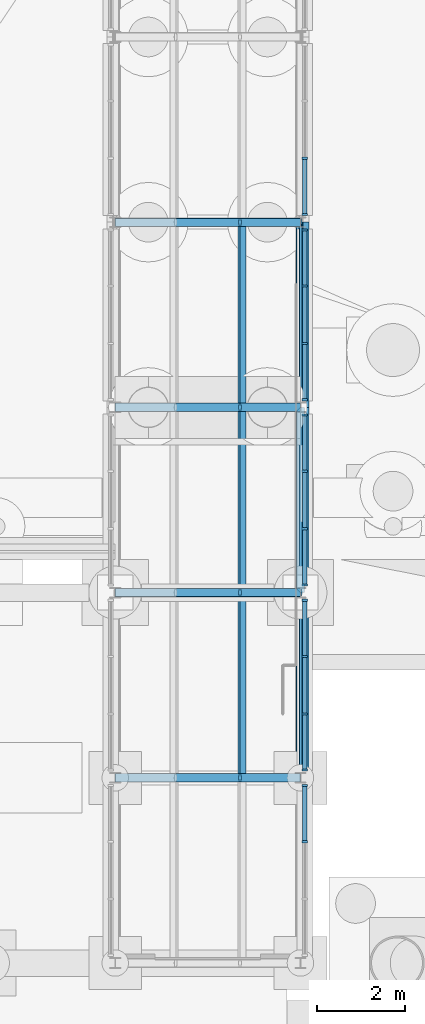
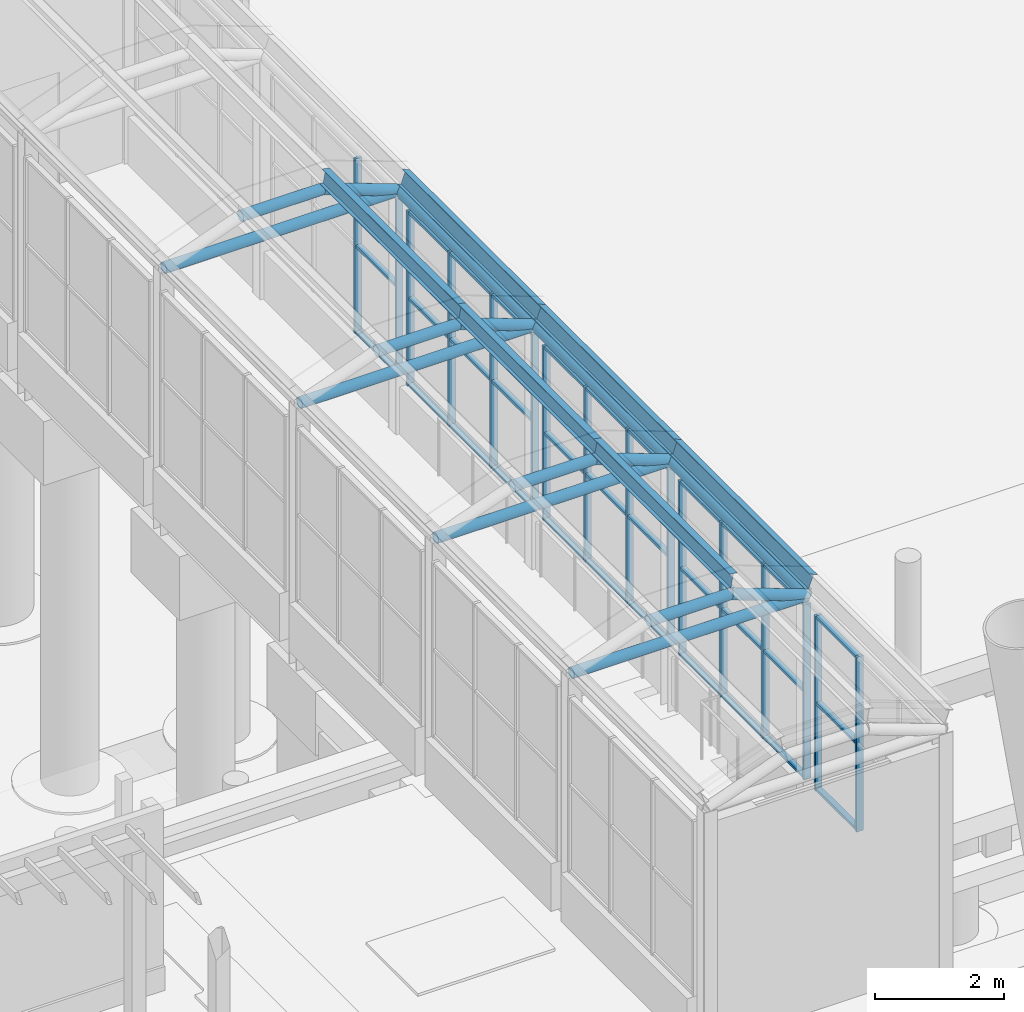
# One storey, part 64 of 222: 58 members, 11 beams, 5 elements without a shape of their own.
"""IFC4 building model written with IfcOpenShell, lengths in metres."""

import ifcopenshell
import ifcopenshell.guid

model = None  # the IFC model being written
_history = None  # IfcOwnerHistory: only IFC2X3 demands one
_inside = {}  # id of a spatial element -> (the spatial element, [elements in it])
_under = {}  # id of a project, library or spatial element -> (it, [spatial elements below it])
_declared = {}  # id of a project -> (the project, [libraries it declares])
_typed = {}  # id of a type object -> (the type object, [elements of that type])
_made_of = {}  # id of a material, layer set ... -> (it, [elements and type objects made of it])


def new_model(schema):
    """Start an empty IFC model of exactly this schema.

    Asked for "IFC4X3", IfcOpenShell would pick the latest addendum, in which some entities
    have other attributes; the version numbers below select the first issue.
    IFC2X3 requires an IfcOwnerHistory on every rooted entity: one is made here for all.
    """
    global model, _history
    if schema == "IFC4X3":
        model = ifcopenshell.file(schema_version=(4, 3, 0, 0))
    else:
        model = ifcopenshell.file(schema=schema)
    _inside.clear()
    _under.clear()
    _declared.clear()
    _typed.clear()
    _made_of.clear()
    _history = None
    if model.schema == "IFC2X3":
        org = make("IfcOrganization", Name="unknown")
        user = make(
            "IfcPersonAndOrganization",
            ThePerson=make("IfcPerson", FamilyName="unknown"),
            TheOrganization=org,
        )
        app = make(
            "IfcApplication",
            ApplicationDeveloper=org,
            Version="unknown",
            ApplicationFullName="unknown",
            ApplicationIdentifier="unknown",
        )
        _history = make(
            "IfcOwnerHistory",
            OwningUser=user,
            OwningApplication=app,
            ChangeAction="ADDED",
            CreationDate=0,
        )
    return model


def make(cls, **values):
    """One entity of the class cls with the attributes given. An attribute that is None is left unset."""
    return model.create_entity(
        cls, **{name: value for name, value in values.items() if value is not None}
    )


def rooted(cls, **values):
    """An entity with a GlobalId (a new one), such as an element, a storey or a relation."""
    return make(cls, GlobalId=ifcopenshell.guid.new(), OwnerHistory=_history, **values)


def si_unit(unit_type, name, prefix=None):
    """IfcSIUnit, for example si_unit("LENGTHUNIT", "METRE", prefix="MILLI")."""
    return make("IfcSIUnit", UnitType=unit_type, Prefix=prefix, Name=name)


def assignment(units):
    """IfcUnitAssignment: the units of a project."""
    return None if units is None else make("IfcUnitAssignment", Units=units)


def point(xyz):
    """IfcCartesianPoint."""
    return None if xyz is None else make("IfcCartesianPoint", Coordinates=xyz)


def direction(xyz):
    """IfcDirection."""
    return None if xyz is None else make("IfcDirection", DirectionRatios=xyz)


def frame(location, z_axis=None, x_axis=None):
    """IfcAxis2Placement3D, a coordinate frame: its origin and axes. An axis left out is left unset."""
    return make(
        "IfcAxis2Placement3D",
        Location=point(location),
        Axis=direction(z_axis),
        RefDirection=direction(x_axis),
    )


def frame_2d(location, x_axis=None):
    """IfcAxis2Placement2D, a coordinate frame in the plane: its origin and x axis."""
    return make(
        "IfcAxis2Placement2D", Location=point(location), RefDirection=direction(x_axis)
    )


def origin():
    """The frame at (0, 0, 0) with its axes left unset."""
    return frame((0.0, 0.0, 0.0))


def origin_2d():
    """The frame at (0, 0) in the plane with its x axis left unset."""
    return frame_2d((0.0, 0.0))


def place(relative_to, where):
    """IfcLocalPlacement: puts the frame where relative to a parent placement (None: the world)."""
    return make(
        "IfcLocalPlacement", PlacementRelTo=relative_to, RelativePlacement=where
    )


def context(
    kind, dimensions, precision=None, world=None, true_north=None, identifier=None
):
    """IfcGeometricRepresentationContext, for example the 3D "Model" context."""
    return make(
        "IfcGeometricRepresentationContext",
        ContextIdentifier=identifier,
        ContextType=kind,
        CoordinateSpaceDimension=dimensions,
        Precision=precision,
        WorldCoordinateSystem=world,
        TrueNorth=true_north,
    )


def subcontext(parent, identifier, kind, view, scale=None):
    """IfcGeometricRepresentationSubContext, for example "Body" below "Model"."""
    return make(
        "IfcGeometricRepresentationSubContext",
        ContextIdentifier=identifier,
        ContextType=kind,
        ParentContext=parent,
        TargetScale=scale,
        TargetView=view,
    )


def project(units=None, contexts=None):
    """IfcProject with its units and contexts."""
    return rooted(
        "IfcProject",
        Name="project",
        RepresentationContexts=contexts,
        UnitsInContext=assignment(units),
    )


def spatial(cls, under=None, at=None, **own):
    """A site, building, storey or space (cls), placed at a placement, below another one or the project."""
    s = rooted(cls, ObjectPlacement=at, **own)
    if under is not None:
        _under.setdefault(under.id(), (under, []))[1].append(s)
    return s


def profile(cls, at=None, kind="AREA", **sizes):
    """A parametric profile (cls). Its sizes go by their IFC names, for example OverallWidth=200.0."""
    return make(cls, ProfileType=kind, Position=at, **sizes)


def rectangle(**sizes):
    """IfcRectangleProfileDef."""
    return profile("IfcRectangleProfileDef", **sizes)


def hollow_circle(**sizes):
    """IfcCircleHollowProfileDef."""
    return profile("IfcCircleHollowProfileDef", **sizes)


def i_section(**sizes):
    """IfcIShapeProfileDef."""
    return profile("IfcIShapeProfileDef", **sizes)


def extrude(swept, where, along, depth):
    """IfcExtrudedAreaSolid: the profile swept, set in the frame where, extruded along a direction by depth."""
    return make(
        "IfcExtrudedAreaSolid",
        SweptArea=swept,
        Position=where,
        ExtrudedDirection=direction(along),
        Depth=depth,
    )


def shape(context_of_items, identifier, shape_type, items):
    """IfcShapeRepresentation: the items that make up one representation, for example the "Body"."""
    return make(
        "IfcShapeRepresentation",
        ContextOfItems=context_of_items,
        RepresentationIdentifier=identifier,
        RepresentationType=shape_type,
        Items=items,
    )


def material(Name=None, Category=None):
    """IfcMaterial."""
    return make("IfcMaterial", Name=Name, Category=Category)


def material_profile(
    of_material, cross_section, Name=None, Category=None, Priority=None
):
    """IfcMaterialProfile: a cross section and its material."""
    return make(
        "IfcMaterialProfile",
        Name=Name,
        Material=of_material,
        Profile=cross_section,
        Priority=Priority,
        Category=Category,
    )


def profile_set(profiles, Name=None, composite=None):
    """IfcMaterialProfileSet."""
    return make(
        "IfcMaterialProfileSet",
        Name=Name,
        MaterialProfiles=profiles,
        CompositeProfile=composite,
    )


def made_of(thing, what):
    """Note that an element or type object is made of a material, layer set ...; save() writes the relation."""
    if what is not None:
        _made_of.setdefault(what.id(), (what, []))[1].append(thing)
    return thing


def type_object(cls, material=None, **own):
    """A type object (cls), such as IfcWallType, which elements share."""
    return made_of(rooted(cls, **own), material)


def element(
    cls,
    number,
    at=None,
    inside=None,
    cuts=None,
    type_object=None,
    material=None,
    context=None,
    identifier="Body",
    shape_type=None,
    held_by="IfcProductDefinitionShape",
    body=None,
    shapes=None,
    **own,
):
    """One element of the class cls, such as IfcWall. Its Tag is "e" and its number.

    at: its placement. inside: the storey or other place that contains it. cuts: it is an
    opening in that element (IfcRelVoidsElement). A single representation is given by context,
    identifier, shape_type and body (its items); several are given by shapes. held_by: the class
    of the entity that holds the representations. save() writes the other relations.
    """
    e = rooted(cls, Tag="e%d" % number, ObjectPlacement=at, **own)
    if body is not None:
        shapes = [shape(context, identifier, shape_type, body)]
    if shapes is not None:
        e.Representation = make(held_by, Representations=shapes)
    if inside is not None:
        _inside.setdefault(inside.id(), (inside, []))[1].append(e)
    if cuts is not None:
        rooted(
            "IfcRelVoidsElement", RelatingBuildingElement=cuts, RelatedOpeningElement=e
        )
    if type_object is not None:
        _typed.setdefault(type_object.id(), (type_object, []))[1].append(e)
    return made_of(e, material)


def aggregate(whole, parts):
    """IfcRelAggregates: a whole, such as a stair, and the parts it consists of."""
    return rooted("IfcRelAggregates", RelatingObject=whole, RelatedObjects=parts)


def save(model, path):
    """Write the relations noted so far, then the file.

    IfcRelAggregates (storeys below a building ...), IfcRelContainedInSpatialStructure (elements
    in a storey), IfcRelDefinesByType, IfcRelAssociatesMaterial and IfcRelDeclares: one each for
    every whole, place, type object, material and project.
    """
    for whole, parts in _under.values():
        aggregate(whole, parts)
    for where, things in _inside.values():
        rooted(
            "IfcRelContainedInSpatialStructure",
            RelatedElements=things,
            RelatingStructure=where,
        )
    for kind, things in _typed.values():
        rooted("IfcRelDefinesByType", RelatedObjects=things, RelatingType=kind)
    for what, things in _made_of.values():
        rooted("IfcRelAssociatesMaterial", RelatedObjects=things, RelatingMaterial=what)
    for by, libraries in _declared.values():
        rooted("IfcRelDeclares", RelatingContext=by, RelatedDefinitions=libraries)
    model.write(path)


model = new_model("IFC4")

# Units and contexts
model_context = context("Model", 3, precision=1e-05, world=origin(), true_north=direction((0.0, 1.0)))
body_context = subcontext(model_context, "Body", "Model", "MODEL_VIEW")
ifc_project = project(units=[si_unit("LENGTHUNIT", "METRE"), si_unit("AREAUNIT", "SQUARE_METRE"), si_unit("VOLUMEUNIT", "CUBIC_METRE"), si_unit("PLANEANGLEUNIT", "RADIAN"), si_unit("MASSUNIT", "GRAM", prefix="KILO")], contexts=[model_context])

# Site, building, storey
site_placement = place(None, origin())
site = spatial("IfcSite", under=ifc_project, at=site_placement, CompositionType="ELEMENT")
building_placement = place(site_placement, origin())
building = spatial("IfcBuilding", under=site, at=building_placement, Name="Sava Quay Ferry Terminal", CompositionType="ELEMENT")
storey_placement = place(building_placement, origin())
storey = spatial("IfcBuildingStorey", under=building, at=storey_placement, Name="L00", CompositionType="ELEMENT", Elevation=0.0)

# Beams
ifc_material_1 = material(Name="Steel S355", Category="steel")
ifc_material_profile_1 = material_profile(ifc_material_1, hollow_circle(Radius=0.096923828125, WallThickness=0.008056640625, at=origin_2d()), Name="CHS 193.7 x 8.0")
ifc_profile_set_1 = profile_set([ifc_material_profile_1], Name="Steel S355")
beam_type_1 = type_object("IfcBeamType", Name="Gallery eave beam CHS 193.7x8", PredefinedType="BEAM", material=ifc_profile_set_1)
beam_1_placement = place(storey_placement, frame((50.39990234375, 113.39990234375, 4.5), z_axis=(0.0, 1.0, 0.0), x_axis=(-1.0, 0.0, 0.0)))
element("IfcBeam", 1, at=beam_1_placement, inside=storey, type_object=beam_type_1, Name="Boarding gallery B1 eave beam R2", PredefinedType="BEAM", context=body_context, shape_type="SweptSolid", body=[
    extrude(hollow_circle(Radius=0.096923828125, WallThickness=0.008056640625, at=origin_2d()), origin(), (0.0, 0.0, 1.0), 4.2001953125),
])
for number, where, z_axis, x_axis, name in (
    (2, (50.39990234375, 117.60009765625, 4.5), (0.0, 1.0, 0.0), (-1.0, 0.0, 0.0), "Boarding gallery B1 eave beam R3"),
    (3, (50.39990234375, 121.800048828125, 4.5), (0.0, 1.0, 0.0), (-1.0, 0.0, 0.0), "Boarding gallery B1 eave beam R4"),
):
    element("IfcBeam", number, at=place(storey_placement, frame(where, z_axis=z_axis, x_axis=x_axis)), inside=storey, type_object=beam_type_1, Name=name, PredefinedType="BEAM", context=body_context, shape_type="SweptSolid", body=[
        extrude(hollow_circle(Radius=0.096923828125, WallThickness=0.008056640625, at=origin_2d()), origin(), (0.0, 0.0, 1.0), 4.199951171875),
    ])

# Members
ifc_material_2 = material(Name="Steel S355", Category="steel")
ifc_material_profile_2 = material_profile(ifc_material_2, i_section(OverallWidth=0.135009765625, OverallDepth=0.27001953125, WebThickness=0.006591796875, FlangeThickness=0.01025390625, at=origin_2d()), Name="IPE 270")
ifc_profile_set_2 = profile_set([ifc_material_profile_2], Name="Steel S355")
member_type_1 = type_object("IfcMemberType", Name="Gallery purlin IPE 270", PredefinedType="PURLIN", material=ifc_profile_set_2)
for number, where, z_axis, x_axis, name in (
    (4, (49.0703125, 113.39990234375, 5.230712890625), (0.0, 1.0, 0.0), (-0.984807753012, 0.0, 0.173648177667), "Boarding gallery B1 purlin bay 2 V2"),
    (5, (50.479248046875, 113.39990234375, 4.718017578125), (0.0, 1.0, 0.0), (-0.939692620786, 0.0, 0.342020143326), "Boarding gallery B1 edge purlin bay 2 V3"),
):
    element("IfcMember", number, at=place(storey_placement, frame(where, z_axis=z_axis, x_axis=x_axis)), inside=storey, type_object=member_type_1, Name=name, PredefinedType="PURLIN", context=body_context, shape_type="SweptSolid", body=[
        extrude(i_section(OverallWidth=0.135009765625, OverallDepth=0.27001953125, WebThickness=0.006591796875, FlangeThickness=0.01025390625, at=origin_2d()), origin(), (0.0, 0.0, 1.0), 4.2001953125),
    ])
for number, where, z_axis, x_axis, name in (
    (6, (49.0703125, 117.60009765625, 5.230712890625), (0.0, 1.0, 0.0), (-0.984807753012, 0.0, 0.173648177667), "Boarding gallery B1 purlin bay 3 V2"),
    (7, (50.479248046875, 117.60009765625, 4.718017578125), (0.0, 1.0, 0.0), (-0.939692620786, 0.0, 0.342020143326), "Boarding gallery B1 edge purlin bay 3 V3"),
    (8, (49.0703125, 121.800048828125, 5.230712890625), (0.0, 1.0, 0.0), (-0.984807753012, 0.0, 0.173648177667), "Boarding gallery B1 purlin bay 4 V2"),
    (9, (50.479248046875, 121.800048828125, 4.718017578125), (0.0, 1.0, 0.0), (-0.939692620786, 0.0, 0.342020143326), "Boarding gallery B1 edge purlin bay 4 V3"),
):
    element("IfcMember", number, at=place(storey_placement, frame(where, z_axis=z_axis, x_axis=x_axis)), inside=storey, type_object=member_type_1, Name=name, PredefinedType="PURLIN", context=body_context, shape_type="SweptSolid", body=[
        extrude(i_section(OverallWidth=0.135009765625, OverallDepth=0.27001953125, WebThickness=0.006591796875, FlangeThickness=0.01025390625, at=origin_2d()), origin(), (0.0, 0.0, 1.0), 4.199951171875),
    ])

# Beams
ifc_material_3 = material(Name="Steel S355", Category="steel")
ifc_material_profile_3 = material_profile(ifc_material_3, hollow_circle(Radius=0.096923828125, WallThickness=0.008056640625, at=origin_2d()), Name="CHS 193.7 x 8.0")
ifc_profile_set_3 = profile_set([ifc_material_profile_3], Name="Steel S355")
beam_type_2 = type_object("IfcBeamType", Name="Gallery rib CHS 193.7x8", PredefinedType="BEAM", material=ifc_profile_set_3)
beam_2_placement = place(storey_placement, frame((47.570556640625, 113.39990234375, 4.998779296875), z_axis=(1.0, 0.0, 0.0), x_axis=(0.0, 1.0, 0.0)))
element("IfcBeam", 10, at=beam_2_placement, inside=storey, type_object=beam_type_2, Name="Boarding gallery B1 arch rib R1 seg 2", PredefinedType="BEAM", context=body_context, shape_type="SweptSolid", body=[
    extrude(hollow_circle(Radius=0.096923828125, WallThickness=0.008056640625, at=origin_2d()), origin(), (0.0, 0.0, 1.0), 1.458740234375),
])
beam_3_placement = place(storey_placement, frame((49.029296875, 113.39990234375, 4.998779296875), z_axis=(0.939710313144, 0.0, -0.341971530059), x_axis=(0.0, 1.0, 0.0)))
element("IfcBeam", 11, at=beam_3_placement, inside=storey, type_object=beam_type_2, Name="Boarding gallery B1 arch rib R1 seg 3", PredefinedType="BEAM", context=body_context, shape_type="SweptSolid", body=[
    extrude(hollow_circle(Radius=0.096923828125, WallThickness=0.008056640625, at=origin_2d()), origin(), (0.0, 0.0, 1.0), 1.45849609375),
])
beam_4_placement = place(storey_placement, frame((47.570556640625, 117.60009765625, 4.998779296875), z_axis=(1.0, 0.0, 0.0), x_axis=(0.0, 1.0, 0.0)))
element("IfcBeam", 12, at=beam_4_placement, inside=storey, type_object=beam_type_2, Name="Boarding gallery B1 arch rib R2 seg 2", PredefinedType="BEAM", context=body_context, shape_type="SweptSolid", body=[
    extrude(hollow_circle(Radius=0.096923828125, WallThickness=0.008056640625, at=origin_2d()), origin(), (0.0, 0.0, 1.0), 1.458740234375),
])
beam_5_placement = place(storey_placement, frame((49.029296875, 117.60009765625, 4.998779296875), z_axis=(0.939710313144, 0.0, -0.341971530059), x_axis=(0.0, 1.0, 0.0)))
element("IfcBeam", 13, at=beam_5_placement, inside=storey, type_object=beam_type_2, Name="Boarding gallery B1 arch rib R2 seg 3", PredefinedType="BEAM", context=body_context, shape_type="SweptSolid", body=[
    extrude(hollow_circle(Radius=0.096923828125, WallThickness=0.008056640625, at=origin_2d()), origin(), (0.0, 0.0, 1.0), 1.45849609375),
])
beam_6_placement = place(storey_placement, frame((47.570556640625, 121.800048828125, 4.998779296875), z_axis=(1.0, 0.0, 0.0), x_axis=(0.0, 1.0, 0.0)))
element("IfcBeam", 14, at=beam_6_placement, inside=storey, type_object=beam_type_2, Name="Boarding gallery B1 arch rib R3 seg 2", PredefinedType="BEAM", context=body_context, shape_type="SweptSolid", body=[
    extrude(hollow_circle(Radius=0.096923828125, WallThickness=0.008056640625, at=origin_2d()), origin(), (0.0, 0.0, 1.0), 1.458740234375),
])
beam_7_placement = place(storey_placement, frame((49.029296875, 121.800048828125, 4.998779296875), z_axis=(0.939710313144, 0.0, -0.341971530059), x_axis=(0.0, 1.0, 0.0)))
element("IfcBeam", 15, at=beam_7_placement, inside=storey, type_object=beam_type_2, Name="Boarding gallery B1 arch rib R3 seg 3", PredefinedType="BEAM", context=body_context, shape_type="SweptSolid", body=[
    extrude(hollow_circle(Radius=0.096923828125, WallThickness=0.008056640625, at=origin_2d()), origin(), (0.0, 0.0, 1.0), 1.45849609375),
])
beam_8_placement = place(storey_placement, frame((47.570556640625, 126.0, 4.998779296875), z_axis=(1.0, 0.0, 0.0), x_axis=(0.0, 1.0, 0.0)))
element("IfcBeam", 16, at=beam_8_placement, inside=storey, type_object=beam_type_2, Name="Boarding gallery B1 arch rib R4 seg 2", PredefinedType="BEAM", context=body_context, shape_type="SweptSolid", body=[
    extrude(hollow_circle(Radius=0.096923828125, WallThickness=0.008056640625, at=origin_2d()), origin(), (0.0, 0.0, 1.0), 1.458740234375),
])
beam_9_placement = place(storey_placement, frame((49.029296875, 126.0, 4.998779296875), z_axis=(0.939710313144, 0.0, -0.341971530059), x_axis=(0.0, 1.0, 0.0)))
element("IfcBeam", 17, at=beam_9_placement, inside=storey, type_object=beam_type_2, Name="Boarding gallery B1 arch rib R4 seg 3", PredefinedType="BEAM", context=body_context, shape_type="SweptSolid", body=[
    extrude(hollow_circle(Radius=0.096923828125, WallThickness=0.008056640625, at=origin_2d()), origin(), (0.0, 0.0, 1.0), 1.45849609375),
])

# Members
ifc_material_4 = material(Name="Steel S355", Category="steel")
ifc_material_profile_4 = material_profile(ifc_material_4, hollow_circle(Radius=0.096923828125, WallThickness=0.008056640625, at=origin_2d()), Name="CHS 193.7 x 8.0")
ifc_profile_set_4 = profile_set([ifc_material_profile_4], Name="Steel S355")
member_type_2 = type_object("IfcMemberType", Name="Gallery tie CHS 193.7x8", PredefinedType="USERDEFINED", material=ifc_profile_set_4)
for number, where, z_axis, x_axis, name in (
    (18, (46.199951171875, 113.39990234375, 4.5), (1.0, 0.0, 0.0), (0.0, 1.0, 0.0), "Boarding gallery B1 arch tie R1"),
    (19, (46.199951171875, 117.60009765625, 4.5), (1.0, 0.0, 0.0), (0.0, 1.0, 0.0), "Boarding gallery B1 arch tie R2"),
    (20, (46.199951171875, 121.800048828125, 4.5), (1.0, 0.0, 0.0), (0.0, 1.0, 0.0), "Boarding gallery B1 arch tie R3"),
    (21, (46.199951171875, 126.0, 4.5), (1.0, 0.0, 0.0), (0.0, 1.0, 0.0), "Boarding gallery B1 arch tie R4"),
):
    element("IfcMember", number, at=place(storey_placement, frame(where, z_axis=z_axis, x_axis=x_axis)), inside=storey, type_object=member_type_2, Name=name, ObjectType="ARCH TIE", PredefinedType="USERDEFINED", context=body_context, shape_type="SweptSolid", body=[
        extrude(hollow_circle(Radius=0.096923828125, WallThickness=0.008056640625, at=origin_2d()), origin(), (0.0, 0.0, 1.0), 4.199951171875),
    ])

# Curtain wall, members
ifc_material_5 = material(Name="Aluminium and glass curtain wall, double glazed", Category="aluminium")
curtain_wall_type = type_object("IfcCurtainWallType", Name="Curtain wall CW-B gallery", PredefinedType="NOTDEFINED", material=ifc_material_5)
curtain_wall_1_placement = place(storey_placement, origin())
curtain_wall_1 = element("IfcCurtainWall", 22, at=curtain_wall_1_placement, inside=storey, type_object=curtain_wall_type, Name="Curtain wall B1-E L00 bay 1", PredefinedType="NOTDEFINED")
ifc_material_6 = material(Name="Aluminium EN AW-6063 T6", Category="aluminium")
ifc_material_profile_5 = material_profile(ifc_material_6, rectangle(XDim=0.1201171875, YDim=0.050048828125, at=origin_2d()), Name="Mullion 50x120 aluminium")
ifc_profile_set_5 = profile_set([ifc_material_profile_5], Name="Aluminium EN AW-6063 T6")
member_type_3 = type_object("IfcMemberType", Name="Mullion 50x120 aluminium", PredefinedType="MULLION", material=ifc_profile_set_5)
member_1_placement = place(storey_placement, frame((50.5, 111.949951171875, 0.89990234375), z_axis=(0.0, 0.0, 1.0), x_axis=(-1.0, 0.0, 0.0)))
member_1 = element("IfcMember", 23, at=member_1_placement, type_object=member_type_3, Name="CW1 mullion 3", PredefinedType="MULLION", context=body_context, shape_type="SweptSolid", body=[
    extrude(rectangle(XDim=0.1201171875, YDim=0.050048828125, at=origin_2d()), origin(), (0.0, 0.0, 1.0), 3.300048828125),
])
member_2_placement = place(storey_placement, frame((50.5, 113.22509765625, 0.89990234375), z_axis=(0.0, 0.0, 1.0), x_axis=(-1.0, 0.0, 0.0)))
member_2 = element("IfcMember", 24, at=member_2_placement, type_object=member_type_3, Name="CW1 mullion 4", PredefinedType="MULLION", context=body_context, shape_type="SweptSolid", body=[
    extrude(rectangle(XDim=0.1201171875, YDim=0.050048828125, at=origin_2d()), origin(), (0.0, 0.0, 1.0), 3.300048828125),
])

curtain_wall_2_placement = place(storey_placement, origin())
curtain_wall_2 = element("IfcCurtainWall", 25, at=curtain_wall_2_placement, inside=storey, type_object=curtain_wall_type, Name="Curtain wall B1-E L00 bay 2", PredefinedType="NOTDEFINED")
member_3_placement = place(storey_placement, frame((50.5, 113.574951171875, 0.89990234375), z_axis=(0.0, 0.0, 1.0), x_axis=(-1.0, 0.0, 0.0)))
member_3 = element("IfcMember", 26, at=member_3_placement, type_object=member_type_3, Name="CW2 mullion 1", PredefinedType="MULLION", context=body_context, shape_type="SweptSolid", body=[
    extrude(rectangle(XDim=0.1201171875, YDim=0.050048828125, at=origin_2d()), origin(), (0.0, 0.0, 1.0), 3.300048828125),
])
member_4_placement = place(storey_placement, frame((50.5, 114.85009765625, 0.89990234375), z_axis=(0.0, 0.0, 1.0), x_axis=(-1.0, 0.0, 0.0)))
member_4 = element("IfcMember", 27, at=member_4_placement, type_object=member_type_3, Name="CW2 mullion 2", PredefinedType="MULLION", context=body_context, shape_type="SweptSolid", body=[
    extrude(rectangle(XDim=0.1201171875, YDim=0.050048828125, at=origin_2d()), origin(), (0.0, 0.0, 1.0), 3.300048828125),
])
member_5_placement = place(storey_placement, frame((50.5, 116.14990234375, 0.89990234375), z_axis=(0.0, 0.0, 1.0), x_axis=(-1.0, 0.0, 0.0)))
member_5 = element("IfcMember", 28, at=member_5_placement, type_object=member_type_3, Name="CW2 mullion 3", PredefinedType="MULLION", context=body_context, shape_type="SweptSolid", body=[
    extrude(rectangle(XDim=0.1201171875, YDim=0.050048828125, at=origin_2d()), origin(), (0.0, 0.0, 1.0), 3.300048828125),
])
member_6_placement = place(storey_placement, frame((50.5, 117.425048828125, 0.89990234375), z_axis=(0.0, 0.0, 1.0), x_axis=(-1.0, 0.0, 0.0)))
member_6 = element("IfcMember", 29, at=member_6_placement, type_object=member_type_3, Name="CW2 mullion 4", PredefinedType="MULLION", context=body_context, shape_type="SweptSolid", body=[
    extrude(rectangle(XDim=0.1201171875, YDim=0.050048828125, at=origin_2d()), origin(), (0.0, 0.0, 1.0), 3.300048828125),
])

curtain_wall_3_placement = place(storey_placement, origin())
curtain_wall_3 = element("IfcCurtainWall", 30, at=curtain_wall_3_placement, inside=storey, type_object=curtain_wall_type, Name="Curtain wall B1-E L00 bay 3", PredefinedType="NOTDEFINED")
member_7_placement = place(storey_placement, frame((50.5, 117.77490234375, 0.89990234375), z_axis=(0.0, 0.0, 1.0), x_axis=(-1.0, 0.0, 0.0)))
member_7 = element("IfcMember", 31, at=member_7_placement, type_object=member_type_3, Name="CW3 mullion 1", PredefinedType="MULLION", context=body_context, shape_type="SweptSolid", body=[
    extrude(rectangle(XDim=0.1201171875, YDim=0.050048828125, at=origin_2d()), origin(), (0.0, 0.0, 1.0), 3.300048828125),
])
member_8_placement = place(storey_placement, frame((50.5, 119.050048828125, 0.89990234375), z_axis=(0.0, 0.0, 1.0), x_axis=(-1.0, 0.0, 0.0)))
member_8 = element("IfcMember", 32, at=member_8_placement, type_object=member_type_3, Name="CW3 mullion 2", PredefinedType="MULLION", context=body_context, shape_type="SweptSolid", body=[
    extrude(rectangle(XDim=0.1201171875, YDim=0.050048828125, at=origin_2d()), origin(), (0.0, 0.0, 1.0), 3.300048828125),
])
member_9_placement = place(storey_placement, frame((50.5, 120.35009765625, 0.89990234375), z_axis=(0.0, 0.0, 1.0), x_axis=(-1.0, 0.0, 0.0)))
member_9 = element("IfcMember", 33, at=member_9_placement, type_object=member_type_3, Name="CW3 mullion 3", PredefinedType="MULLION", context=body_context, shape_type="SweptSolid", body=[
    extrude(rectangle(XDim=0.1201171875, YDim=0.050048828125, at=origin_2d()), origin(), (0.0, 0.0, 1.0), 3.300048828125),
])
member_10_placement = place(storey_placement, frame((50.5, 121.625, 0.89990234375), z_axis=(0.0, 0.0, 1.0), x_axis=(-1.0, 0.0, 0.0)))
member_10 = element("IfcMember", 34, at=member_10_placement, type_object=member_type_3, Name="CW3 mullion 4", PredefinedType="MULLION", context=body_context, shape_type="SweptSolid", body=[
    extrude(rectangle(XDim=0.1201171875, YDim=0.050048828125, at=origin_2d()), origin(), (0.0, 0.0, 1.0), 3.300048828125),
])

curtain_wall_4_placement = place(storey_placement, origin())
curtain_wall_4 = element("IfcCurtainWall", 35, at=curtain_wall_4_placement, inside=storey, type_object=curtain_wall_type, Name="Curtain wall B1-E L00 bay 4", PredefinedType="NOTDEFINED")
member_11_placement = place(storey_placement, frame((50.5, 121.97509765625, 0.89990234375), z_axis=(0.0, 0.0, 1.0), x_axis=(-1.0, 0.0, 0.0)))
member_11 = element("IfcMember", 36, at=member_11_placement, type_object=member_type_3, Name="CW4 mullion 1", PredefinedType="MULLION", context=body_context, shape_type="SweptSolid", body=[
    extrude(rectangle(XDim=0.1201171875, YDim=0.050048828125, at=origin_2d()), origin(), (0.0, 0.0, 1.0), 3.300048828125),
])
member_12_placement = place(storey_placement, frame((50.5, 123.25, 0.89990234375), z_axis=(0.0, 0.0, 1.0), x_axis=(-1.0, 0.0, 0.0)))
member_12 = element("IfcMember", 37, at=member_12_placement, type_object=member_type_3, Name="CW4 mullion 2", PredefinedType="MULLION", context=body_context, shape_type="SweptSolid", body=[
    extrude(rectangle(XDim=0.1201171875, YDim=0.050048828125, at=origin_2d()), origin(), (0.0, 0.0, 1.0), 3.300048828125),
])
member_13_placement = place(storey_placement, frame((50.5, 124.550048828125, 0.89990234375), z_axis=(0.0, 0.0, 1.0), x_axis=(-1.0, 0.0, 0.0)))
member_13 = element("IfcMember", 38, at=member_13_placement, type_object=member_type_3, Name="CW4 mullion 3", PredefinedType="MULLION", context=body_context, shape_type="SweptSolid", body=[
    extrude(rectangle(XDim=0.1201171875, YDim=0.050048828125, at=origin_2d()), origin(), (0.0, 0.0, 1.0), 3.300048828125),
])
member_14_placement = place(storey_placement, frame((50.5, 125.824951171875, 0.89990234375), z_axis=(0.0, 0.0, 1.0), x_axis=(-1.0, 0.0, 0.0)))
member_14 = element("IfcMember", 39, at=member_14_placement, type_object=member_type_3, Name="CW4 mullion 4", PredefinedType="MULLION", context=body_context, shape_type="SweptSolid", body=[
    extrude(rectangle(XDim=0.1201171875, YDim=0.050048828125, at=origin_2d()), origin(), (0.0, 0.0, 1.0), 3.300048828125),
])

curtain_wall_5_placement = place(storey_placement, origin())
curtain_wall_5 = element("IfcCurtainWall", 40, at=curtain_wall_5_placement, inside=storey, type_object=curtain_wall_type, Name="Curtain wall B1-E L00 bay 5", PredefinedType="NOTDEFINED")
member_15_placement = place(storey_placement, frame((50.5, 126.175048828125, 0.89990234375), z_axis=(0.0, 0.0, 1.0), x_axis=(-1.0, 0.0, 0.0)))
member_15 = element("IfcMember", 41, at=member_15_placement, type_object=member_type_3, Name="CW5 mullion 1", PredefinedType="MULLION", context=body_context, shape_type="SweptSolid", body=[
    extrude(rectangle(XDim=0.1201171875, YDim=0.050048828125, at=origin_2d()), origin(), (0.0, 0.0, 1.0), 3.300048828125),
])
member_16_placement = place(storey_placement, frame((50.5, 127.449951171875, 0.89990234375), z_axis=(0.0, 0.0, 1.0), x_axis=(-1.0, 0.0, 0.0)))
member_16 = element("IfcMember", 42, at=member_16_placement, type_object=member_type_3, Name="CW5 mullion 2", PredefinedType="MULLION", context=body_context, shape_type="SweptSolid", body=[
    extrude(rectangle(XDim=0.1201171875, YDim=0.050048828125, at=origin_2d()), origin(), (0.0, 0.0, 1.0), 3.300048828125),
])

# Member
ifc_material_7 = material(Name="Aluminium EN AW-6063 T6", Category="aluminium")
ifc_material_profile_6 = material_profile(ifc_material_7, rectangle(XDim=0.10009765625, YDim=0.050048828125, at=origin_2d()), Name="Transom 50x100 aluminium")
ifc_profile_set_6 = profile_set([ifc_material_profile_6], Name="Aluminium EN AW-6063 T6")
member_type_4 = type_object("IfcMemberType", Name="Transom 50x100 aluminium", PredefinedType="USERDEFINED", material=ifc_profile_set_6)
member_17_placement = place(storey_placement, frame((50.5, 111.97509765625, 0.925048828125), z_axis=(0.0, 1.0, 0.0), x_axis=(-1.0, 0.0, 0.0)))
member_17 = element("IfcMember", 43, at=member_17_placement, type_object=member_type_4, Name="CW1 transom 3.1", ObjectType="TRANSOM", PredefinedType="USERDEFINED", context=body_context, shape_type="SweptSolid", body=[
    extrude(rectangle(XDim=0.10009765625, YDim=0.050048828125, at=origin_2d()), origin(), (0.0, 0.0, 1.0), 1.224853515625),
])

member_18_placement = place(storey_placement, frame((50.5, 111.97509765625, 2.550048828125), z_axis=(0.0, 1.0, 0.0), x_axis=(-1.0, 0.0, 0.0)))
member_18 = element("IfcMember", 44, at=member_18_placement, type_object=member_type_4, Name="CW1 transom 3.2", ObjectType="TRANSOM", PredefinedType="USERDEFINED", context=body_context, shape_type="SweptSolid", body=[
    extrude(rectangle(XDim=0.10009765625, YDim=0.050048828125, at=origin_2d()), origin(), (0.0, 0.0, 1.0), 1.224853515625),
])

member_19_placement = place(storey_placement, frame((50.5, 111.97509765625, 4.175048828125), z_axis=(0.0, 1.0, 0.0), x_axis=(-1.0, 0.0, 0.0)))
member_19 = element("IfcMember", 45, at=member_19_placement, type_object=member_type_4, Name="CW1 transom 3.3", ObjectType="TRANSOM", PredefinedType="USERDEFINED", context=body_context, shape_type="SweptSolid", body=[
    extrude(rectangle(XDim=0.10009765625, YDim=0.050048828125, at=origin_2d()), origin(), (0.0, 0.0, 1.0), 1.224853515625),
])

aggregate(curtain_wall_1, [member_1, member_2, member_17, member_18, member_19])

member_20_placement = place(storey_placement, frame((50.5, 113.60009765625, 0.925048828125), z_axis=(0.0, 1.0, 0.0), x_axis=(-1.0, 0.0, 0.0)))
member_20 = element("IfcMember", 46, at=member_20_placement, type_object=member_type_4, Name="CW2 transom 1.1", ObjectType="TRANSOM", PredefinedType="USERDEFINED", context=body_context, shape_type="SweptSolid", body=[
    extrude(rectangle(XDim=0.10009765625, YDim=0.050048828125, at=origin_2d()), origin(), (0.0, 0.0, 1.0), 1.224853515625),
])

member_21_placement = place(storey_placement, frame((50.5, 113.60009765625, 2.550048828125), z_axis=(0.0, 1.0, 0.0), x_axis=(-1.0, 0.0, 0.0)))
member_21 = element("IfcMember", 47, at=member_21_placement, type_object=member_type_4, Name="CW2 transom 1.2", ObjectType="TRANSOM", PredefinedType="USERDEFINED", context=body_context, shape_type="SweptSolid", body=[
    extrude(rectangle(XDim=0.10009765625, YDim=0.050048828125, at=origin_2d()), origin(), (0.0, 0.0, 1.0), 1.224853515625),
])

member_22_placement = place(storey_placement, frame((50.5, 113.60009765625, 4.175048828125), z_axis=(0.0, 1.0, 0.0), x_axis=(-1.0, 0.0, 0.0)))
member_22 = element("IfcMember", 48, at=member_22_placement, type_object=member_type_4, Name="CW2 transom 1.3", ObjectType="TRANSOM", PredefinedType="USERDEFINED", context=body_context, shape_type="SweptSolid", body=[
    extrude(rectangle(XDim=0.10009765625, YDim=0.050048828125, at=origin_2d()), origin(), (0.0, 0.0, 1.0), 1.224853515625),
])

member_23_placement = place(storey_placement, frame((50.5, 114.875, 0.925048828125), z_axis=(0.0, 1.0, 0.0), x_axis=(-1.0, 0.0, 0.0)))
member_23 = element("IfcMember", 49, at=member_23_placement, type_object=member_type_4, Name="CW2 transom 2.1", ObjectType="TRANSOM", PredefinedType="USERDEFINED", context=body_context, shape_type="SweptSolid", body=[
    extrude(rectangle(XDim=0.10009765625, YDim=0.050048828125, at=origin_2d()), origin(), (0.0, 0.0, 1.0), 1.25),
])

member_24_placement = place(storey_placement, frame((50.5, 114.875, 2.550048828125), z_axis=(0.0, 1.0, 0.0), x_axis=(-1.0, 0.0, 0.0)))
member_24 = element("IfcMember", 50, at=member_24_placement, type_object=member_type_4, Name="CW2 transom 2.2", ObjectType="TRANSOM", PredefinedType="USERDEFINED", context=body_context, shape_type="SweptSolid", body=[
    extrude(rectangle(XDim=0.10009765625, YDim=0.050048828125, at=origin_2d()), origin(), (0.0, 0.0, 1.0), 1.25),
])

member_25_placement = place(storey_placement, frame((50.5, 114.875, 4.175048828125), z_axis=(0.0, 1.0, 0.0), x_axis=(-1.0, 0.0, 0.0)))
member_25 = element("IfcMember", 51, at=member_25_placement, type_object=member_type_4, Name="CW2 transom 2.3", ObjectType="TRANSOM", PredefinedType="USERDEFINED", context=body_context, shape_type="SweptSolid", body=[
    extrude(rectangle(XDim=0.10009765625, YDim=0.050048828125, at=origin_2d()), origin(), (0.0, 0.0, 1.0), 1.25),
])

member_26_placement = place(storey_placement, frame((50.5, 116.175048828125, 0.925048828125), z_axis=(0.0, 1.0, 0.0), x_axis=(-1.0, 0.0, 0.0)))
member_26 = element("IfcMember", 52, at=member_26_placement, type_object=member_type_4, Name="CW2 transom 3.1", ObjectType="TRANSOM", PredefinedType="USERDEFINED", context=body_context, shape_type="SweptSolid", body=[
    extrude(rectangle(XDim=0.10009765625, YDim=0.050048828125, at=origin_2d()), origin(), (0.0, 0.0, 1.0), 1.224853515625),
])

member_27_placement = place(storey_placement, frame((50.5, 116.175048828125, 2.550048828125), z_axis=(0.0, 1.0, 0.0), x_axis=(-1.0, 0.0, 0.0)))
member_27 = element("IfcMember", 53, at=member_27_placement, type_object=member_type_4, Name="CW2 transom 3.2", ObjectType="TRANSOM", PredefinedType="USERDEFINED", context=body_context, shape_type="SweptSolid", body=[
    extrude(rectangle(XDim=0.10009765625, YDim=0.050048828125, at=origin_2d()), origin(), (0.0, 0.0, 1.0), 1.224853515625),
])

member_28_placement = place(storey_placement, frame((50.5, 116.175048828125, 4.175048828125), z_axis=(0.0, 1.0, 0.0), x_axis=(-1.0, 0.0, 0.0)))
member_28 = element("IfcMember", 54, at=member_28_placement, type_object=member_type_4, Name="CW2 transom 3.3", ObjectType="TRANSOM", PredefinedType="USERDEFINED", context=body_context, shape_type="SweptSolid", body=[
    extrude(rectangle(XDim=0.10009765625, YDim=0.050048828125, at=origin_2d()), origin(), (0.0, 0.0, 1.0), 1.224853515625),
])

aggregate(curtain_wall_2, [member_3, member_4, member_5, member_6, member_20, member_21, member_22, member_23, member_24, member_25, member_26, member_27, member_28])

member_29_placement = place(storey_placement, frame((50.5, 117.800048828125, 0.925048828125), z_axis=(0.0, 1.0, 0.0), x_axis=(-1.0, 0.0, 0.0)))
member_29 = element("IfcMember", 55, at=member_29_placement, type_object=member_type_4, Name="CW3 transom 1.1", ObjectType="TRANSOM", PredefinedType="USERDEFINED", context=body_context, shape_type="SweptSolid", body=[
    extrude(rectangle(XDim=0.10009765625, YDim=0.050048828125, at=origin_2d()), origin(), (0.0, 0.0, 1.0), 1.224853515625),
])

member_30_placement = place(storey_placement, frame((50.5, 117.800048828125, 2.550048828125), z_axis=(0.0, 1.0, 0.0), x_axis=(-1.0, 0.0, 0.0)))
member_30 = element("IfcMember", 56, at=member_30_placement, type_object=member_type_4, Name="CW3 transom 1.2", ObjectType="TRANSOM", PredefinedType="USERDEFINED", context=body_context, shape_type="SweptSolid", body=[
    extrude(rectangle(XDim=0.10009765625, YDim=0.050048828125, at=origin_2d()), origin(), (0.0, 0.0, 1.0), 1.224853515625),
])

member_31_placement = place(storey_placement, frame((50.5, 117.800048828125, 4.175048828125), z_axis=(0.0, 1.0, 0.0), x_axis=(-1.0, 0.0, 0.0)))
member_31 = element("IfcMember", 57, at=member_31_placement, type_object=member_type_4, Name="CW3 transom 1.3", ObjectType="TRANSOM", PredefinedType="USERDEFINED", context=body_context, shape_type="SweptSolid", body=[
    extrude(rectangle(XDim=0.10009765625, YDim=0.050048828125, at=origin_2d()), origin(), (0.0, 0.0, 1.0), 1.224853515625),
])

member_32_placement = place(storey_placement, frame((50.5, 119.074951171875, 0.925048828125), z_axis=(0.0, 1.0, 0.0), x_axis=(-1.0, 0.0, 0.0)))
member_32 = element("IfcMember", 58, at=member_32_placement, type_object=member_type_4, Name="CW3 transom 2.1", ObjectType="TRANSOM", PredefinedType="USERDEFINED", context=body_context, shape_type="SweptSolid", body=[
    extrude(rectangle(XDim=0.10009765625, YDim=0.050048828125, at=origin_2d()), origin(), (0.0, 0.0, 1.0), 1.25),
])

member_33_placement = place(storey_placement, frame((50.5, 119.074951171875, 2.550048828125), z_axis=(0.0, 1.0, 0.0), x_axis=(-1.0, 0.0, 0.0)))
member_33 = element("IfcMember", 59, at=member_33_placement, type_object=member_type_4, Name="CW3 transom 2.2", ObjectType="TRANSOM", PredefinedType="USERDEFINED", context=body_context, shape_type="SweptSolid", body=[
    extrude(rectangle(XDim=0.10009765625, YDim=0.050048828125, at=origin_2d()), origin(), (0.0, 0.0, 1.0), 1.25),
])

member_34_placement = place(storey_placement, frame((50.5, 119.074951171875, 4.175048828125), z_axis=(0.0, 1.0, 0.0), x_axis=(-1.0, 0.0, 0.0)))
member_34 = element("IfcMember", 60, at=member_34_placement, type_object=member_type_4, Name="CW3 transom 2.3", ObjectType="TRANSOM", PredefinedType="USERDEFINED", context=body_context, shape_type="SweptSolid", body=[
    extrude(rectangle(XDim=0.10009765625, YDim=0.050048828125, at=origin_2d()), origin(), (0.0, 0.0, 1.0), 1.25),
])

member_35_placement = place(storey_placement, frame((50.5, 120.375, 0.925048828125), z_axis=(0.0, 1.0, 0.0), x_axis=(-1.0, 0.0, 0.0)))
member_35 = element("IfcMember", 61, at=member_35_placement, type_object=member_type_4, Name="CW3 transom 3.1", ObjectType="TRANSOM", PredefinedType="USERDEFINED", context=body_context, shape_type="SweptSolid", body=[
    extrude(rectangle(XDim=0.10009765625, YDim=0.050048828125, at=origin_2d()), origin(), (0.0, 0.0, 1.0), 1.22509765625),
])

member_36_placement = place(storey_placement, frame((50.5, 120.375, 2.550048828125), z_axis=(0.0, 1.0, 0.0), x_axis=(-1.0, 0.0, 0.0)))
member_36 = element("IfcMember", 62, at=member_36_placement, type_object=member_type_4, Name="CW3 transom 3.2", ObjectType="TRANSOM", PredefinedType="USERDEFINED", context=body_context, shape_type="SweptSolid", body=[
    extrude(rectangle(XDim=0.10009765625, YDim=0.050048828125, at=origin_2d()), origin(), (0.0, 0.0, 1.0), 1.22509765625),
])

member_37_placement = place(storey_placement, frame((50.5, 120.375, 4.175048828125), z_axis=(0.0, 1.0, 0.0), x_axis=(-1.0, 0.0, 0.0)))
member_37 = element("IfcMember", 63, at=member_37_placement, type_object=member_type_4, Name="CW3 transom 3.3", ObjectType="TRANSOM", PredefinedType="USERDEFINED", context=body_context, shape_type="SweptSolid", body=[
    extrude(rectangle(XDim=0.10009765625, YDim=0.050048828125, at=origin_2d()), origin(), (0.0, 0.0, 1.0), 1.22509765625),
])

aggregate(curtain_wall_3, [member_7, member_8, member_9, member_10, member_29, member_30, member_31, member_32, member_33, member_34, member_35, member_36, member_37])

member_38_placement = place(storey_placement, frame((50.5, 122.0, 0.925048828125), z_axis=(0.0, 1.0, 0.0), x_axis=(-1.0, 0.0, 0.0)))
member_38 = element("IfcMember", 64, at=member_38_placement, type_object=member_type_4, Name="CW4 transom 1.1", ObjectType="TRANSOM", PredefinedType="USERDEFINED", context=body_context, shape_type="SweptSolid", body=[
    extrude(rectangle(XDim=0.10009765625, YDim=0.050048828125, at=origin_2d()), origin(), (0.0, 0.0, 1.0), 1.22509765625),
])

member_39_placement = place(storey_placement, frame((50.5, 122.0, 2.550048828125), z_axis=(0.0, 1.0, 0.0), x_axis=(-1.0, 0.0, 0.0)))
member_39 = element("IfcMember", 65, at=member_39_placement, type_object=member_type_4, Name="CW4 transom 1.2", ObjectType="TRANSOM", PredefinedType="USERDEFINED", context=body_context, shape_type="SweptSolid", body=[
    extrude(rectangle(XDim=0.10009765625, YDim=0.050048828125, at=origin_2d()), origin(), (0.0, 0.0, 1.0), 1.22509765625),
])

member_40_placement = place(storey_placement, frame((50.5, 122.0, 4.175048828125), z_axis=(0.0, 1.0, 0.0), x_axis=(-1.0, 0.0, 0.0)))
member_40 = element("IfcMember", 66, at=member_40_placement, type_object=member_type_4, Name="CW4 transom 1.3", ObjectType="TRANSOM", PredefinedType="USERDEFINED", context=body_context, shape_type="SweptSolid", body=[
    extrude(rectangle(XDim=0.10009765625, YDim=0.050048828125, at=origin_2d()), origin(), (0.0, 0.0, 1.0), 1.22509765625),
])

member_41_placement = place(storey_placement, frame((50.5, 123.27490234375, 0.925048828125), z_axis=(0.0, 1.0, 0.0), x_axis=(-1.0, 0.0, 0.0)))
member_41 = element("IfcMember", 67, at=member_41_placement, type_object=member_type_4, Name="CW4 transom 2.1", ObjectType="TRANSOM", PredefinedType="USERDEFINED", context=body_context, shape_type="SweptSolid", body=[
    extrude(rectangle(XDim=0.10009765625, YDim=0.050048828125, at=origin_2d()), origin(), (0.0, 0.0, 1.0), 1.25),
])

member_42_placement = place(storey_placement, frame((50.5, 123.27490234375, 2.550048828125), z_axis=(0.0, 1.0, 0.0), x_axis=(-1.0, 0.0, 0.0)))
member_42 = element("IfcMember", 68, at=member_42_placement, type_object=member_type_4, Name="CW4 transom 2.2", ObjectType="TRANSOM", PredefinedType="USERDEFINED", context=body_context, shape_type="SweptSolid", body=[
    extrude(rectangle(XDim=0.10009765625, YDim=0.050048828125, at=origin_2d()), origin(), (0.0, 0.0, 1.0), 1.25),
])

member_43_placement = place(storey_placement, frame((50.5, 123.27490234375, 4.175048828125), z_axis=(0.0, 1.0, 0.0), x_axis=(-1.0, 0.0, 0.0)))
member_43 = element("IfcMember", 69, at=member_43_placement, type_object=member_type_4, Name="CW4 transom 2.3", ObjectType="TRANSOM", PredefinedType="USERDEFINED", context=body_context, shape_type="SweptSolid", body=[
    extrude(rectangle(XDim=0.10009765625, YDim=0.050048828125, at=origin_2d()), origin(), (0.0, 0.0, 1.0), 1.25),
])

member_44_placement = place(storey_placement, frame((50.5, 124.574951171875, 0.925048828125), z_axis=(0.0, 1.0, 0.0), x_axis=(-1.0, 0.0, 0.0)))
member_44 = element("IfcMember", 70, at=member_44_placement, type_object=member_type_4, Name="CW4 transom 3.1", ObjectType="TRANSOM", PredefinedType="USERDEFINED", context=body_context, shape_type="SweptSolid", body=[
    extrude(rectangle(XDim=0.10009765625, YDim=0.050048828125, at=origin_2d()), origin(), (0.0, 0.0, 1.0), 1.22509765625),
])

member_45_placement = place(storey_placement, frame((50.5, 124.574951171875, 2.550048828125), z_axis=(0.0, 1.0, 0.0), x_axis=(-1.0, 0.0, 0.0)))
member_45 = element("IfcMember", 71, at=member_45_placement, type_object=member_type_4, Name="CW4 transom 3.2", ObjectType="TRANSOM", PredefinedType="USERDEFINED", context=body_context, shape_type="SweptSolid", body=[
    extrude(rectangle(XDim=0.10009765625, YDim=0.050048828125, at=origin_2d()), origin(), (0.0, 0.0, 1.0), 1.22509765625),
])

member_46_placement = place(storey_placement, frame((50.5, 124.574951171875, 4.175048828125), z_axis=(0.0, 1.0, 0.0), x_axis=(-1.0, 0.0, 0.0)))
member_46 = element("IfcMember", 72, at=member_46_placement, type_object=member_type_4, Name="CW4 transom 3.3", ObjectType="TRANSOM", PredefinedType="USERDEFINED", context=body_context, shape_type="SweptSolid", body=[
    extrude(rectangle(XDim=0.10009765625, YDim=0.050048828125, at=origin_2d()), origin(), (0.0, 0.0, 1.0), 1.22509765625),
])

aggregate(curtain_wall_4, [member_11, member_12, member_13, member_14, member_38, member_39, member_40, member_41, member_42, member_43, member_44, member_45, member_46])

member_47_placement = place(storey_placement, frame((50.5, 126.199951171875, 0.925048828125), z_axis=(0.0, 1.0, 0.0), x_axis=(-1.0, 0.0, 0.0)))
member_47 = element("IfcMember", 73, at=member_47_placement, type_object=member_type_4, Name="CW5 transom 1.1", ObjectType="TRANSOM", PredefinedType="USERDEFINED", context=body_context, shape_type="SweptSolid", body=[
    extrude(rectangle(XDim=0.10009765625, YDim=0.050048828125, at=origin_2d()), origin(), (0.0, 0.0, 1.0), 1.22509765625),
])

member_48_placement = place(storey_placement, frame((50.5, 126.199951171875, 2.550048828125), z_axis=(0.0, 1.0, 0.0), x_axis=(-1.0, 0.0, 0.0)))
member_48 = element("IfcMember", 74, at=member_48_placement, type_object=member_type_4, Name="CW5 transom 1.2", ObjectType="TRANSOM", PredefinedType="USERDEFINED", context=body_context, shape_type="SweptSolid", body=[
    extrude(rectangle(XDim=0.10009765625, YDim=0.050048828125, at=origin_2d()), origin(), (0.0, 0.0, 1.0), 1.22509765625),
])

aggregate(curtain_wall_5, [member_15, member_16, member_47, member_48])

save(model, "model.ifc")
